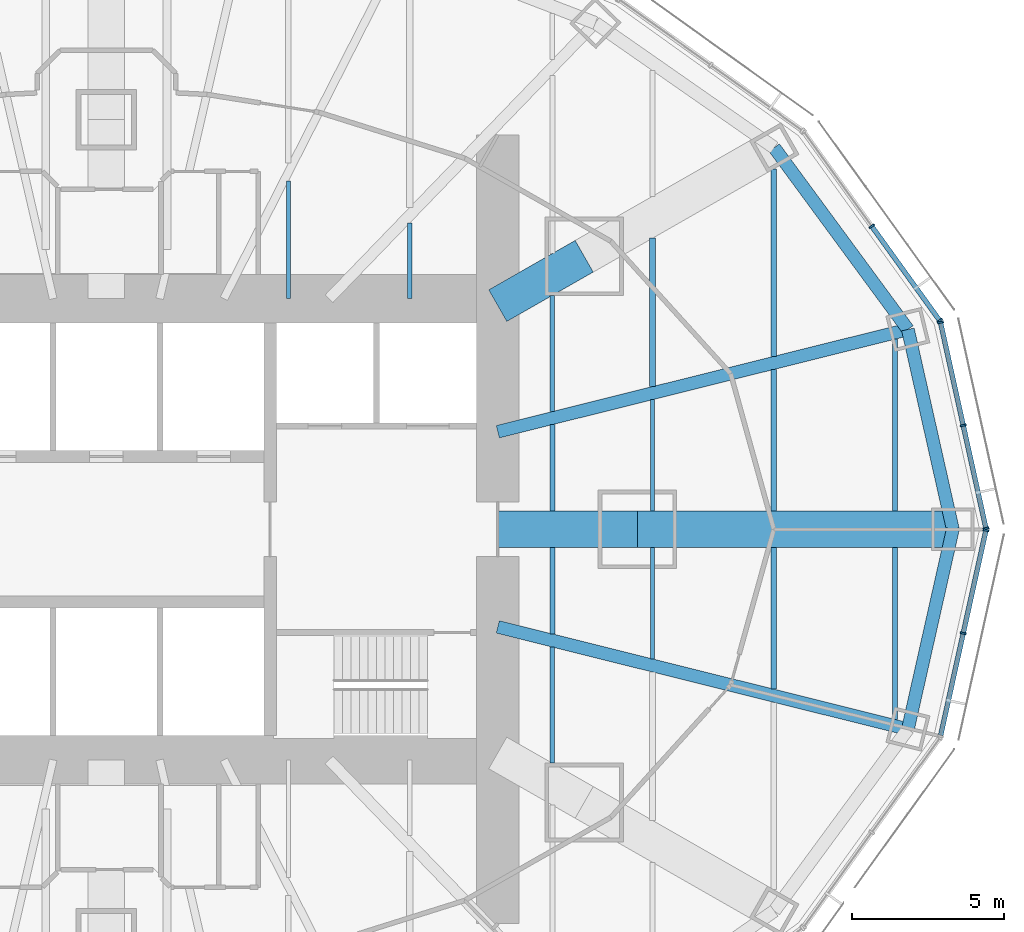
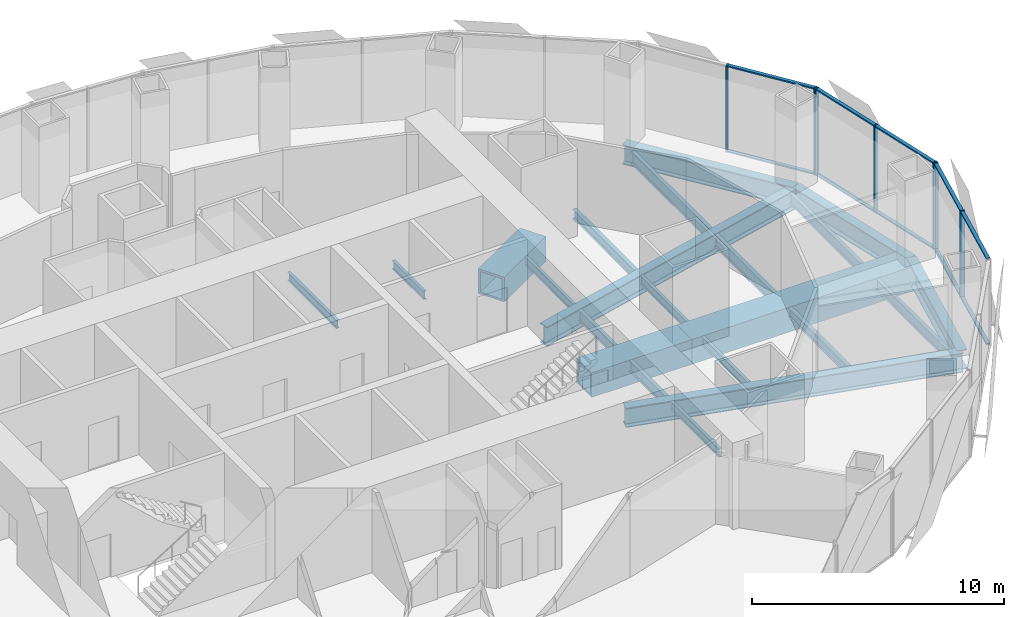
# One storey, part 6 of 17: 22 beams, 17 members, 3 elements without a shape of their own.
"""IFC4 building model written with IfcOpenShell, lengths in metres."""

import ifcopenshell
import ifcopenshell.guid

model = None  # the IFC model being written
_history = None  # IfcOwnerHistory: only IFC2X3 demands one
_inside = {}  # id of a spatial element -> (the spatial element, [elements in it])
_under = {}  # id of a project, library or spatial element -> (it, [spatial elements below it])
_declared = {}  # id of a project -> (the project, [libraries it declares])
_typed = {}  # id of a type object -> (the type object, [elements of that type])
_made_of = {}  # id of a material, layer set ... -> (it, [elements and type objects made of it])


def new_model(schema):
    """Start an empty IFC model of exactly this schema.

    Asked for "IFC4X3", IfcOpenShell would pick the latest addendum, in which some entities
    have other attributes; the version numbers below select the first issue.
    IFC2X3 requires an IfcOwnerHistory on every rooted entity: one is made here for all.
    """
    global model, _history
    if schema == "IFC4X3":
        model = ifcopenshell.file(schema_version=(4, 3, 0, 0))
    else:
        model = ifcopenshell.file(schema=schema)
    _inside.clear()
    _under.clear()
    _declared.clear()
    _typed.clear()
    _made_of.clear()
    _history = None
    if model.schema == "IFC2X3":
        org = make("IfcOrganization", Name="unknown")
        user = make(
            "IfcPersonAndOrganization",
            ThePerson=make("IfcPerson", FamilyName="unknown"),
            TheOrganization=org,
        )
        app = make(
            "IfcApplication",
            ApplicationDeveloper=org,
            Version="unknown",
            ApplicationFullName="unknown",
            ApplicationIdentifier="unknown",
        )
        _history = make(
            "IfcOwnerHistory",
            OwningUser=user,
            OwningApplication=app,
            ChangeAction="ADDED",
            CreationDate=0,
        )
    return model


def make(cls, **values):
    """One entity of the class cls with the attributes given. An attribute that is None is left unset."""
    return model.create_entity(
        cls, **{name: value for name, value in values.items() if value is not None}
    )


def rooted(cls, **values):
    """An entity with a GlobalId (a new one), such as an element, a storey or a relation."""
    return make(cls, GlobalId=ifcopenshell.guid.new(), OwnerHistory=_history, **values)


def si_unit(unit_type, name, prefix=None):
    """IfcSIUnit, for example si_unit("LENGTHUNIT", "METRE", prefix="MILLI")."""
    return make("IfcSIUnit", UnitType=unit_type, Prefix=prefix, Name=name)


def assignment(units):
    """IfcUnitAssignment: the units of a project."""
    return None if units is None else make("IfcUnitAssignment", Units=units)


def point(xyz):
    """IfcCartesianPoint."""
    return None if xyz is None else make("IfcCartesianPoint", Coordinates=xyz)


def direction(xyz):
    """IfcDirection."""
    return None if xyz is None else make("IfcDirection", DirectionRatios=xyz)


def frame(location, z_axis=None, x_axis=None):
    """IfcAxis2Placement3D, a coordinate frame: its origin and axes. An axis left out is left unset."""
    return make(
        "IfcAxis2Placement3D",
        Location=point(location),
        Axis=direction(z_axis),
        RefDirection=direction(x_axis),
    )


def frame_2d(location, x_axis=None):
    """IfcAxis2Placement2D, a coordinate frame in the plane: its origin and x axis."""
    return make(
        "IfcAxis2Placement2D", Location=point(location), RefDirection=direction(x_axis)
    )


def origin():
    """The frame at (0, 0, 0) with its axes left unset."""
    return frame((0.0, 0.0, 0.0))


def origin_2d():
    """The frame at (0, 0) in the plane with its x axis left unset."""
    return frame_2d((0.0, 0.0))


def place(relative_to, where):
    """IfcLocalPlacement: puts the frame where relative to a parent placement (None: the world)."""
    return make(
        "IfcLocalPlacement", PlacementRelTo=relative_to, RelativePlacement=where
    )


def context(
    kind, dimensions, precision=None, world=None, true_north=None, identifier=None
):
    """IfcGeometricRepresentationContext, for example the 3D "Model" context."""
    return make(
        "IfcGeometricRepresentationContext",
        ContextIdentifier=identifier,
        ContextType=kind,
        CoordinateSpaceDimension=dimensions,
        Precision=precision,
        WorldCoordinateSystem=world,
        TrueNorth=true_north,
    )


def subcontext(parent, identifier, kind, view, scale=None):
    """IfcGeometricRepresentationSubContext, for example "Body" below "Model"."""
    return make(
        "IfcGeometricRepresentationSubContext",
        ContextIdentifier=identifier,
        ContextType=kind,
        ParentContext=parent,
        TargetScale=scale,
        TargetView=view,
    )


def project(units=None, contexts=None):
    """IfcProject with its units and contexts."""
    return rooted(
        "IfcProject",
        Name="project",
        RepresentationContexts=contexts,
        UnitsInContext=assignment(units),
    )


def spatial(cls, under=None, at=None, **own):
    """A site, building, storey or space (cls), placed at a placement, below another one or the project."""
    s = rooted(cls, ObjectPlacement=at, **own)
    if under is not None:
        _under.setdefault(under.id(), (under, []))[1].append(s)
    return s


def profile(cls, at=None, kind="AREA", **sizes):
    """A parametric profile (cls). Its sizes go by their IFC names, for example OverallWidth=200.0."""
    return make(cls, ProfileType=kind, Position=at, **sizes)


def rectangle(**sizes):
    """IfcRectangleProfileDef."""
    return profile("IfcRectangleProfileDef", **sizes)


def hollow_rectangle(**sizes):
    """IfcRectangleHollowProfileDef."""
    return profile("IfcRectangleHollowProfileDef", **sizes)


def i_section(**sizes):
    """IfcIShapeProfileDef."""
    return profile("IfcIShapeProfileDef", **sizes)


def extrude(swept, where, along, depth):
    """IfcExtrudedAreaSolid: the profile swept, set in the frame where, extruded along a direction by depth."""
    return make(
        "IfcExtrudedAreaSolid",
        SweptArea=swept,
        Position=where,
        ExtrudedDirection=direction(along),
        Depth=depth,
    )


def shape(context_of_items, identifier, shape_type, items):
    """IfcShapeRepresentation: the items that make up one representation, for example the "Body"."""
    return make(
        "IfcShapeRepresentation",
        ContextOfItems=context_of_items,
        RepresentationIdentifier=identifier,
        RepresentationType=shape_type,
        Items=items,
    )


def material(Name=None, Category=None):
    """IfcMaterial."""
    return make("IfcMaterial", Name=Name, Category=Category)


def material_profile(
    of_material, cross_section, Name=None, Category=None, Priority=None
):
    """IfcMaterialProfile: a cross section and its material."""
    return make(
        "IfcMaterialProfile",
        Name=Name,
        Material=of_material,
        Profile=cross_section,
        Priority=Priority,
        Category=Category,
    )


def profile_set(profiles, Name=None, composite=None):
    """IfcMaterialProfileSet."""
    return make(
        "IfcMaterialProfileSet",
        Name=Name,
        MaterialProfiles=profiles,
        CompositeProfile=composite,
    )


def made_of(thing, what):
    """Note that an element or type object is made of a material, layer set ...; save() writes the relation."""
    if what is not None:
        _made_of.setdefault(what.id(), (what, []))[1].append(thing)
    return thing


def type_object(cls, material=None, **own):
    """A type object (cls), such as IfcWallType, which elements share."""
    return made_of(rooted(cls, **own), material)


def element(
    cls,
    number,
    at=None,
    inside=None,
    cuts=None,
    type_object=None,
    material=None,
    context=None,
    identifier="Body",
    shape_type=None,
    held_by="IfcProductDefinitionShape",
    body=None,
    shapes=None,
    **own,
):
    """One element of the class cls, such as IfcWall. Its Tag is "e" and its number.

    at: its placement. inside: the storey or other place that contains it. cuts: it is an
    opening in that element (IfcRelVoidsElement). A single representation is given by context,
    identifier, shape_type and body (its items); several are given by shapes. held_by: the class
    of the entity that holds the representations. save() writes the other relations.
    """
    e = rooted(cls, Tag="e%d" % number, ObjectPlacement=at, **own)
    if body is not None:
        shapes = [shape(context, identifier, shape_type, body)]
    if shapes is not None:
        e.Representation = make(held_by, Representations=shapes)
    if inside is not None:
        _inside.setdefault(inside.id(), (inside, []))[1].append(e)
    if cuts is not None:
        rooted(
            "IfcRelVoidsElement", RelatingBuildingElement=cuts, RelatedOpeningElement=e
        )
    if type_object is not None:
        _typed.setdefault(type_object.id(), (type_object, []))[1].append(e)
    return made_of(e, material)


def aggregate(whole, parts):
    """IfcRelAggregates: a whole, such as a stair, and the parts it consists of."""
    return rooted("IfcRelAggregates", RelatingObject=whole, RelatedObjects=parts)


def save(model, path):
    """Write the relations noted so far, then the file.

    IfcRelAggregates (storeys below a building ...), IfcRelContainedInSpatialStructure (elements
    in a storey), IfcRelDefinesByType, IfcRelAssociatesMaterial and IfcRelDeclares: one each for
    every whole, place, type object, material and project.
    """
    for whole, parts in _under.values():
        aggregate(whole, parts)
    for where, things in _inside.values():
        rooted(
            "IfcRelContainedInSpatialStructure",
            RelatedElements=things,
            RelatingStructure=where,
        )
    for kind, things in _typed.values():
        rooted("IfcRelDefinesByType", RelatedObjects=things, RelatingType=kind)
    for what, things in _made_of.values():
        rooted("IfcRelAssociatesMaterial", RelatedObjects=things, RelatingMaterial=what)
    for by, libraries in _declared.values():
        rooted("IfcRelDeclares", RelatingContext=by, RelatedDefinitions=libraries)
    model.write(path)


model = new_model("IFC4")

# Units and contexts
model_context = context("Model", 3, precision=1e-05, world=origin(), true_north=direction((0.0, 1.0)))
body_context = subcontext(model_context, "Body", "Model", "MODEL_VIEW")
ifc_project = project(units=[si_unit("LENGTHUNIT", "METRE"), si_unit("AREAUNIT", "SQUARE_METRE"), si_unit("VOLUMEUNIT", "CUBIC_METRE"), si_unit("PLANEANGLEUNIT", "RADIAN"), si_unit("MASSUNIT", "GRAM", prefix="KILO")], contexts=[model_context])

# Site, building, storey
site_placement = place(None, origin())
site = spatial("IfcSite", under=ifc_project, at=site_placement, CompositionType="ELEMENT")
building_placement = place(site_placement, origin())
building = spatial("IfcBuilding", under=site, at=building_placement, Name="Lantaw Convention Tower", CompositionType="ELEMENT")
storey_placement = place(building_placement, frame((0.0, 0.0, 117.39990234375)))
storey = spatial("IfcBuildingStorey", under=building, at=storey_placement, Name="L27", CompositionType="ELEMENT", Elevation=117.39990234375)

# Beams
ifc_material_1 = material(Name="Steel ASTM A992", Category="steel")
ifc_material_profile_1 = material_profile(ifc_material_1, i_section(OverallWidth=0.424072265625, OverallDepth=0.947509765625, WebThickness=0.02392578125, FlangeThickness=0.042724609375, FilletRadius=0.012451171875, at=origin_2d()), Name="W36X302")
ifc_profile_set_1 = profile_set([ifc_material_profile_1], Name="Steel ASTM A992")
beam_type_1 = type_object("IfcBeamType", Name="Beam BC W36X302", PredefinedType="SPANDREL", material=ifc_profile_set_1)
beam_1_placement = place(storey_placement, frame((27.89990234375, 0.0, -0.62353515625), z_axis=(-0.219211877447, 0.975677279015, 0.0), x_axis=(-0.975677279015, -0.219211877447, 0.0)))
element("IfcBeam", 1, at=beam_1_placement, inside=storey, type_object=beam_type_1, Name="Belt truss chord 1", PredefinedType="SPANDREL", context=body_context, shape_type="SweptSolid", body=[
    extrude(i_section(OverallWidth=0.424072265625, OverallDepth=0.947509765625, WebThickness=0.02392578125, FlangeThickness=0.042724609375, FilletRadius=0.012451171875, at=origin_2d()), origin(), (0.0, 0.0, 1.0), 6.75146484375),
])
beam_2_placement = place(storey_placement, frame((26.419921875, 6.587158203125, -0.62353515625), z_axis=(-0.5923891972, 0.805651934176, 0.0), x_axis=(-0.805651934176, -0.5923891972, 0.0)))
element("IfcBeam", 2, at=beam_2_placement, inside=storey, type_object=beam_type_1, Name="Belt truss chord 2", PredefinedType="SPANDREL", context=body_context, shape_type="SweptSolid", body=[
    extrude(i_section(OverallWidth=0.424072265625, OverallDepth=0.947509765625, WebThickness=0.02392578125, FlangeThickness=0.042724609375, FilletRadius=0.012451171875, at=origin_2d()), origin(), (0.0, 0.0, 1.0), 7.437744140625),
])
beam_3_placement = place(storey_placement, frame((26.419921875, -6.587158203125, -0.62353515625), z_axis=(0.219211877447, 0.975677279015, 0.0), x_axis=(-0.975677279015, 0.219211877447, 0.0)))
element("IfcBeam", 3, at=beam_3_placement, inside=storey, type_object=beam_type_1, Name="Belt truss chord 24", PredefinedType="SPANDREL", context=body_context, shape_type="SweptSolid", body=[
    extrude(i_section(OverallWidth=0.424072265625, OverallDepth=0.947509765625, WebThickness=0.02392578125, FlangeThickness=0.042724609375, FilletRadius=0.012451171875, at=origin_2d()), origin(), (0.0, 0.0, 1.0), 6.75146484375),
])
ifc_material_2 = material(Name="Steel EN 10025-3 S460N", Category="steel")
ifc_material_profile_2 = material_profile(ifc_material_2, hollow_rectangle(XDim=1.199951171875, YDim=1.199951171875, WallThickness=0.10009765625, at=origin_2d()), Name="BOX1200X100")
ifc_profile_set_2 = profile_set([ifc_material_profile_2], Name="Steel EN 10025-3 S460N")
beam_type_2 = type_object("IfcBeamType", Name="Beam G BOX1200X100", PredefinedType="BEAM", material=ifc_profile_set_2)
beam_4_placement = place(storey_placement, frame((17.5, 0.0, -0.75), z_axis=(1.0, 0.0, 0.0), x_axis=(0.0, 1.0, 0.0)))
element("IfcBeam", 4, at=beam_4_placement, inside=storey, type_object=beam_type_2, Name="Floor girder on ray 1", PredefinedType="BEAM", context=body_context, shape_type="SweptSolid", body=[
    extrude(hollow_rectangle(XDim=1.199951171875, YDim=1.199951171875, WallThickness=0.10009765625, at=origin_2d()), origin(), (0.0, 0.0, 1.0), 10.39990234375),
])
ifc_material_profile_3 = material_profile(ifc_material_1, i_section(OverallWidth=0.421630859375, OverallDepth=0.937255859375, WebThickness=0.0224609375, FlangeThickness=0.039794921875, FilletRadius=0.02001953125, at=origin_2d()), Name="W36X282")
ifc_profile_set_3 = profile_set([ifc_material_profile_3], Name="Steel ASTM A992")
beam_type_3 = type_object("IfcBeamType", Name="Beam G W36X282", PredefinedType="BEAM", material=ifc_profile_set_3)
for number, where, z_axis, x_axis, name in (
    (5, (12.89990234375, 3.21630859375, -0.61865234375), (0.970296903132, 0.24191717544, 0.0), (-0.24191717544, 0.970296903132, 0.0), "Floor girder on ray 2"),
    (6, (12.89990234375, -3.21630859375, -0.61865234375), (0.970296903132, -0.24191717544, 0.0), (0.24191717544, 0.970296903132, 0.0), "Floor girder on ray 24"),
):
    element("IfcBeam", number, at=place(storey_placement, frame(where, z_axis=z_axis, x_axis=x_axis)), inside=storey, type_object=beam_type_3, Name=name, PredefinedType="BEAM", context=body_context, shape_type="SweptSolid", body=[
        extrude(i_section(OverallWidth=0.421630859375, OverallDepth=0.937255859375, WebThickness=0.0224609375, FlangeThickness=0.039794921875, FilletRadius=0.02001953125, at=origin_2d()), origin(), (0.0, 0.0, 1.0), 13.933837890625),
    ])
ifc_material_profile_4 = material_profile(ifc_material_1, i_section(OverallWidth=0.140380859375, OverallDepth=0.40380859375, WebThickness=0.007080078125, FlangeThickness=0.01123046875, FilletRadius=0.01025390625, at=origin_2d()), Name="W16X31")
ifc_profile_set_4 = profile_set([ifc_material_profile_4], Name="Steel ASTM A992")
beam_type_4 = type_object("IfcBeamType", Name="Beam J W16X31", PredefinedType="JOIST", material=ifc_profile_set_4)
beam_5_placement = place(storey_placement, frame((6.0, 7.60009765625, -0.351806640625), z_axis=(0.0, 1.0, 0.0), x_axis=(-1.0, 0.0, 0.0)))
element("IfcBeam", 7, at=beam_5_placement, inside=storey, type_object=beam_type_4, Name="Floor joist", PredefinedType="JOIST", context=body_context, shape_type="SweptSolid", body=[
    extrude(i_section(OverallWidth=0.140380859375, OverallDepth=0.40380859375, WebThickness=0.007080078125, FlangeThickness=0.01123046875, FilletRadius=0.01025390625, at=origin_2d()), origin(), (0.0, 0.0, 1.0), 3.8818359375),
])
beam_6_placement = place(storey_placement, frame((10.0, 7.60009765625, -0.351806640625), z_axis=(0.0, 1.0, 0.0), x_axis=(-1.0, 0.0, 0.0)))
element("IfcBeam", 8, at=beam_6_placement, inside=storey, type_object=beam_type_4, Name="Floor joist", PredefinedType="JOIST", context=body_context, shape_type="SweptSolid", body=[
    extrude(i_section(OverallWidth=0.140380859375, OverallDepth=0.40380859375, WebThickness=0.007080078125, FlangeThickness=0.01123046875, FilletRadius=0.01025390625, at=origin_2d()), origin(), (0.0, 0.0, 1.0), 2.49560546875),
])
for number, where, z_axis, x_axis, name in (
    (9, (14.699951171875, -7.708984375, -0.351806640625), (0.0, 1.0, 0.0), (-1.0, 0.0, 0.0), "Floor joist"),
    (10, (14.699951171875, 3.88232421875, -0.351806640625), (0.0, 1.0, 0.0), (-1.0, 0.0, 0.0), "Floor joist"),
):
    element("IfcBeam", number, at=place(storey_placement, frame(where, z_axis=z_axis, x_axis=x_axis)), inside=storey, type_object=beam_type_4, Name=name, PredefinedType="JOIST", context=body_context, shape_type="SweptSolid", body=[
        extrude(i_section(OverallWidth=0.140380859375, OverallDepth=0.40380859375, WebThickness=0.007080078125, FlangeThickness=0.01123046875, FilletRadius=0.01025390625, at=origin_2d()), origin(), (0.0, 0.0, 1.0), 3.82666015625),
    ])
for number, where, z_axis, x_axis, name in (
    (11, (18.0, -4.270751953125, -0.351806640625), (0.0, 1.0, 0.0), (-1.0, 0.0, 0.0), "Floor joist"),
    (12, (18.0, 0.60009765625, -0.351806640625), (0.0, 1.0, 0.0), (-1.0, 0.0, 0.0), "Floor joist"),
):
    element("IfcBeam", number, at=place(storey_placement, frame(where, z_axis=z_axis, x_axis=x_axis)), inside=storey, type_object=beam_type_4, Name=name, PredefinedType="JOIST", context=body_context, shape_type="SweptSolid", body=[
        extrude(i_section(OverallWidth=0.140380859375, OverallDepth=0.40380859375, WebThickness=0.007080078125, FlangeThickness=0.01123046875, FilletRadius=0.01025390625, at=origin_2d()), origin(), (0.0, 0.0, 1.0), 3.670654296875),
    ])
ifc_material_profile_5 = material_profile(ifc_material_1, i_section(OverallWidth=0.1904296875, OverallDepth=0.457275390625, WebThickness=0.009033203125, FlangeThickness=0.014404296875, FilletRadius=0.01025390625, at=origin_2d()), Name="W18X50")
ifc_profile_set_5 = profile_set([ifc_material_profile_5], Name="Steel ASTM A992")
beam_type_5 = type_object("IfcBeamType", Name="Beam J W18X50", PredefinedType="JOIST", material=ifc_profile_set_5)
beam_7_placement = place(storey_placement, frame((18.0, 4.705078125, -0.37841796875), z_axis=(0.0, 1.0, 0.0), x_axis=(-1.0, 0.0, 0.0)))
element("IfcBeam", 13, at=beam_7_placement, inside=storey, type_object=beam_type_5, Name="Floor joist", PredefinedType="JOIST", context=body_context, shape_type="SweptSolid", body=[
    extrude(i_section(OverallWidth=0.1904296875, OverallDepth=0.457275390625, WebThickness=0.009033203125, FlangeThickness=0.014404296875, FilletRadius=0.01025390625, at=origin_2d()), origin(), (0.0, 0.0, 1.0), 4.8896484375),
])
beam_8_placement = place(storey_placement, frame((22.0, -5.267822265625, -0.37841796875), z_axis=(0.0, 1.0, 0.0), x_axis=(-1.0, 0.0, 0.0)))
element("IfcBeam", 14, at=beam_8_placement, inside=storey, type_object=beam_type_5, Name="Floor joist", PredefinedType="JOIST", context=body_context, shape_type="SweptSolid", body=[
    extrude(i_section(OverallWidth=0.1904296875, OverallDepth=0.457275390625, WebThickness=0.009033203125, FlangeThickness=0.014404296875, FilletRadius=0.01025390625, at=origin_2d()), origin(), (0.0, 0.0, 1.0), 4.667724609375),
])
ifc_material_profile_6 = material_profile(ifc_material_1, i_section(OverallWidth=0.1650390625, OverallDepth=0.52587890625, WebThickness=0.0087890625, FlangeThickness=0.011474609375, FilletRadius=0.0126953125, at=origin_2d()), Name="W21X44")
ifc_profile_set_6 = profile_set([ifc_material_profile_6], Name="Steel ASTM A992")
beam_type_6 = type_object("IfcBeamType", Name="Beam J W21X44", PredefinedType="JOIST", material=ifc_profile_set_6)
for number, where, z_axis, x_axis, name in (
    (15, (26.0, -6.26513671875, -0.412841796875), (0.0, 1.0, 0.0), (-1.0, 0.0, 0.0), "Floor joist"),
    (16, (26.0, 0.60009765625, -0.412841796875), (0.0, 1.0, 0.0), (-1.0, 0.0, 0.0), "Floor joist"),
):
    element("IfcBeam", number, at=place(storey_placement, frame(where, z_axis=z_axis, x_axis=x_axis)), inside=storey, type_object=beam_type_6, Name=name, PredefinedType="JOIST", context=body_context, shape_type="SweptSolid", body=[
        extrude(i_section(OverallWidth=0.1650390625, OverallDepth=0.52587890625, WebThickness=0.0087890625, FlangeThickness=0.011474609375, FilletRadius=0.0126953125, at=origin_2d()), origin(), (0.0, 0.0, 1.0), 5.6650390625),
    ])
ifc_material_profile_7 = material_profile(ifc_material_1, i_section(OverallWidth=0.165771484375, OverallDepth=0.5283203125, WebThickness=0.009765625, FlangeThickness=0.013671875, FilletRadius=0.012939453125, at=origin_2d()), Name="W21X50")
ifc_profile_set_7 = profile_set([ifc_material_profile_7], Name="Steel ASTM A992")
beam_type_7 = type_object("IfcBeamType", Name="Beam J W21X50", PredefinedType="JOIST", material=ifc_profile_set_7)
for number, where, z_axis, x_axis, name in (
    (17, (14.699951171875, -3.44775390625, -0.4140625), (0.0, 1.0, 0.0), (-1.0, 0.0, 0.0), "Floor joist"),
    (18, (14.699951171875, 0.60009765625, -0.4140625), (0.0, 1.0, 0.0), (-1.0, 0.0, 0.0), "Floor joist"),
):
    element("IfcBeam", number, at=place(storey_placement, frame(where, z_axis=z_axis, x_axis=x_axis)), inside=storey, type_object=beam_type_7, Name=name, PredefinedType="JOIST", context=body_context, shape_type="SweptSolid", body=[
        extrude(i_section(OverallWidth=0.165771484375, OverallDepth=0.5283203125, WebThickness=0.009765625, FlangeThickness=0.013671875, FilletRadius=0.012939453125, at=origin_2d()), origin(), (0.0, 0.0, 1.0), 2.84765625),
    ])
ifc_material_profile_8 = material_profile(ifc_material_1, i_section(OverallWidth=0.177978515625, OverallDepth=0.599365234375, WebThickness=0.010009765625, FlangeThickness=0.012939453125, FilletRadius=0.012939453125, at=origin_2d()), Name="W24X55")
ifc_profile_set_8 = profile_set([ifc_material_profile_8], Name="Steel ASTM A992")
beam_type_8 = type_object("IfcBeamType", Name="Beam J W24X55", PredefinedType="JOIST", material=ifc_profile_set_8)
beam_9_placement = place(storey_placement, frame((22.0, 0.60009765625, -0.44970703125), z_axis=(0.0, 1.0, 0.0), x_axis=(-1.0, 0.0, 0.0)))
element("IfcBeam", 19, at=beam_9_placement, inside=storey, type_object=beam_type_8, Name="Floor joist", PredefinedType="JOIST", context=body_context, shape_type="SweptSolid", body=[
    extrude(i_section(OverallWidth=0.177978515625, OverallDepth=0.599365234375, WebThickness=0.010009765625, FlangeThickness=0.012939453125, FilletRadius=0.012939453125, at=origin_2d()), origin(), (0.0, 0.0, 1.0), 4.667724609375),
])
beam_10_placement = place(storey_placement, frame((22.0, 5.702392578125, -0.44970703125), z_axis=(0.0, 1.0, 0.0), x_axis=(-1.0, 0.0, 0.0)))
element("IfcBeam", 20, at=beam_10_placement, inside=storey, type_object=beam_type_8, Name="Floor joist", PredefinedType="JOIST", context=body_context, shape_type="SweptSolid", body=[
    extrude(i_section(OverallWidth=0.177978515625, OverallDepth=0.599365234375, WebThickness=0.010009765625, FlangeThickness=0.012939453125, FilletRadius=0.012939453125, at=origin_2d()), origin(), (0.0, 0.0, 1.0), 6.177978515625),
])
ifc_material_profile_9 = material_profile(ifc_material_2, hollow_rectangle(XDim=1.199951171875, YDim=1.199951171875, WallThickness=0.10009765625, at=origin_2d()), Name="BOX1200X100")
ifc_profile_set_9 = profile_set([ifc_material_profile_9], Name="Steel EN 10025-3 S460N")
beam_type_9 = type_object("IfcBeamType", Name="Beam OC BOX1200X100", PredefinedType="BEAM", material=ifc_profile_set_9)
beam_11_placement = place(storey_placement, frame((12.89990234375, 0.0, -0.75), z_axis=(1.0, 0.0, 0.0), x_axis=(0.0, 1.0, 0.0)))
element("IfcBeam", 21, at=beam_11_placement, inside=storey, type_object=beam_type_9, Name="Outrigger chord on ray 1", PredefinedType="BEAM", context=body_context, shape_type="SweptSolid", body=[
    extrude(hollow_rectangle(XDim=1.199951171875, YDim=1.199951171875, WallThickness=0.10009765625, at=origin_2d()), origin(), (0.0, 0.0, 1.0), 4.60009765625),
])
beam_12_placement = place(storey_placement, frame((12.89990234375, 7.371337890625, -0.75), z_axis=(0.868238565244, 0.496146947811, 0.0), x_axis=(-0.496146947811, 0.868238565244, 0.0)))
element("IfcBeam", 22, at=beam_12_placement, inside=storey, type_object=beam_type_9, Name="Outrigger chord on ray 3", PredefinedType="BEAM", context=body_context, shape_type="SweptSolid", body=[
    extrude(hollow_rectangle(XDim=1.199951171875, YDim=1.199951171875, WallThickness=0.10009765625, at=origin_2d()), origin(), (0.0, 0.0, 1.0), 3.28271484375),
])

# Curtain wall, members
ifc_material_3 = material(Name="Aluminium framed curtain wall", Category="aluminium")
curtain_wall_type = type_object("IfcCurtainWallType", Name="Office curtain wall low rise, pale aluminium", PredefinedType="USERDEFINED", material=ifc_material_3)
curtain_wall_1_placement = place(storey_placement, origin())
curtain_wall_1 = element("IfcCurtainWall", 23, at=curtain_wall_1_placement, inside=storey, type_object=curtain_wall_type, Name="Office curtain wall low rise, pale aluminium L27", ObjectType="UNITISED CURTAIN WALL", PredefinedType="USERDEFINED")
ifc_material_4 = material(Name="Aluminium 6063-T6", Category="aluminium")
ifc_material_profile_10 = material_profile(ifc_material_4, rectangle(XDim=0.199951171875, YDim=0.06494140625, at=origin_2d()), Name="CW-O1 mullion 65x200")
ifc_profile_set_10 = profile_set([ifc_material_profile_10], Name="Aluminium 6063-T6")
member_type_1 = type_object("IfcMemberType", Name="CW-O1 mullion 65x200", PredefinedType="MULLION", material=ifc_profile_set_10)
member_1_placement = place(storey_placement, frame((28.992919921875, 0.03173828125, -0.14990234375), z_axis=(0.0, 0.0, 1.0), x_axis=(-0.9764936509, -0.215546166174, 0.0)))
member_1 = element("IfcMember", 24, at=member_1_placement, type_object=member_type_1, Name="CW-O1 mullion 1", PredefinedType="MULLION", context=body_context, shape_type="SweptSolid", body=[
    extrude(rectangle(XDim=0.199951171875, YDim=0.06494140625, at=origin_2d()), origin(), (0.0, 0.0, 1.0), 4.199951171875),
])
member_2_placement = place(storey_placement, frame((28.24365234375, 3.4267578125, -0.14990234375), z_axis=(0.0, 0.0, 1.0), x_axis=(-0.9764936509, -0.215546166174, 0.0)))
member_2 = element("IfcMember", 25, at=member_2_placement, type_object=member_type_1, Name="CW-O1 mullion 2", PredefinedType="MULLION", context=body_context, shape_type="SweptSolid", body=[
    extrude(rectangle(XDim=0.199951171875, YDim=0.06494140625, at=origin_2d()), origin(), (0.0, 0.0, 1.0), 4.199951171875),
])
member_3_placement = place(storey_placement, frame((27.494140625, 6.821533203125, -0.14990234375), z_axis=(0.0, 0.0, 1.0), x_axis=(-0.9764936509, -0.215546166174, 0.0)))
member_3 = element("IfcMember", 26, at=member_3_placement, type_object=member_type_1, Name="CW-O1 mullion 3", PredefinedType="MULLION", context=body_context, shape_type="SweptSolid", body=[
    extrude(rectangle(XDim=0.199951171875, YDim=0.06494140625, at=origin_2d()), origin(), (0.0, 0.0, 1.0), 4.199951171875),
])

curtain_wall_2_placement = place(storey_placement, origin())
curtain_wall_2 = element("IfcCurtainWall", 27, at=curtain_wall_2_placement, inside=storey, type_object=curtain_wall_type, Name="Office curtain wall low rise, pale aluminium L27", ObjectType="UNITISED CURTAIN WALL", PredefinedType="USERDEFINED")
member_4_placement = place(storey_placement, frame((27.46826171875, 6.879638671875, -0.14990234375), z_axis=(0.0, 0.0, 1.0), x_axis=(-0.811384633629, -0.584512597221, 0.0)))
member_4 = element("IfcMember", 28, at=member_4_placement, type_object=member_type_1, Name="CW-O1 mullion 1", PredefinedType="MULLION", context=body_context, shape_type="SweptSolid", body=[
    extrude(rectangle(XDim=0.199951171875, YDim=0.06494140625, at=origin_2d()), origin(), (0.0, 0.0, 1.0), 4.199951171875),
])
member_5_placement = place(storey_placement, frame((25.22802734375, 9.9892578125, -0.14990234375), z_axis=(0.0, 0.0, 1.0), x_axis=(-0.811384633629, -0.584512597221, 0.0)))
member_5 = element("IfcMember", 29, at=member_5_placement, type_object=member_type_1, Name="CW-O1 mullion 2", PredefinedType="MULLION", context=body_context, shape_type="SweptSolid", body=[
    extrude(rectangle(XDim=0.199951171875, YDim=0.06494140625, at=origin_2d()), origin(), (0.0, 0.0, 1.0), 4.199951171875),
])

curtain_wall_3_placement = place(storey_placement, origin())
curtain_wall_3 = element("IfcCurtainWall", 30, at=curtain_wall_3_placement, inside=storey, type_object=curtain_wall_type, Name="Office curtain wall low rise, pale aluminium L27", ObjectType="UNITISED CURTAIN WALL", PredefinedType="USERDEFINED")
member_6_placement = place(storey_placement, frame((28.24365234375, -3.4267578125, -0.14990234375), z_axis=(0.0, 0.0, 1.0), x_axis=(-0.9764936509, 0.215546166174, 0.0)))
member_6 = element("IfcMember", 31, at=member_6_placement, type_object=member_type_1, Name="CW-O1 mullion 2", PredefinedType="MULLION", context=body_context, shape_type="SweptSolid", body=[
    extrude(rectangle(XDim=0.199951171875, YDim=0.06494140625, at=origin_2d()), origin(), (0.0, 0.0, 1.0), 4.199951171875),
])
member_7_placement = place(storey_placement, frame((28.992919921875, -0.03173828125, -0.14990234375), z_axis=(0.0, 0.0, 1.0), x_axis=(-0.9764936509, 0.215546166174, 0.0)))
member_7 = element("IfcMember", 32, at=member_7_placement, type_object=member_type_1, Name="CW-O1 mullion 3", PredefinedType="MULLION", context=body_context, shape_type="SweptSolid", body=[
    extrude(rectangle(XDim=0.199951171875, YDim=0.06494140625, at=origin_2d()), origin(), (0.0, 0.0, 1.0), 4.199951171875),
])

# Member
ifc_material_profile_11 = material_profile(ifc_material_4, rectangle(XDim=0.159912109375, YDim=0.06494140625, at=origin_2d()), Name="CW-O1 transom 65x160")
ifc_profile_set_11 = profile_set([ifc_material_profile_11], Name="Aluminium 6063-T6")
member_type_2 = type_object("IfcMemberType", Name="CW-O1 transom 65x160", PredefinedType="USERDEFINED", material=ifc_profile_set_11)
member_8_placement = place(storey_placement, frame((28.986083984375, 0.0634765625, -0.117431640625), z_axis=(-0.215536096386, 0.976495873598, 0.0), x_axis=(-0.976495873598, -0.215536096386, 0.0)))
member_8 = element("IfcMember", 33, at=member_8_placement, type_object=member_type_2, Name="CW-O1 transom 1.1", ObjectType="TRANSOM", PredefinedType="USERDEFINED", context=body_context, shape_type="SweptSolid", body=[
    extrude(rectangle(XDim=0.159912109375, YDim=0.06494140625, at=origin_2d()), origin(), (0.0, 0.0, 1.0), 3.41162109375),
])

member_9_placement = place(storey_placement, frame((28.986083984375, 0.0634765625, 4.017578125), z_axis=(-0.215536096386, 0.976495873598, 0.0), x_axis=(-0.976495873598, -0.215536096386, 0.0)))
member_9 = element("IfcMember", 34, at=member_9_placement, type_object=member_type_2, Name="CW-O1 transom 1.2", ObjectType="TRANSOM", PredefinedType="USERDEFINED", context=body_context, shape_type="SweptSolid", body=[
    extrude(rectangle(XDim=0.159912109375, YDim=0.06494140625, at=origin_2d()), origin(), (0.0, 0.0, 1.0), 3.41162109375),
])

member_10_placement = place(storey_placement, frame((28.236572265625, 3.45849609375, -0.117431640625), z_axis=(-0.21555115847, 0.976492548913, 0.0), x_axis=(-0.976492548913, -0.21555115847, 0.0)))
member_10 = element("IfcMember", 35, at=member_10_placement, type_object=member_type_2, Name="CW-O1 transom 2.1", ObjectType="TRANSOM", PredefinedType="USERDEFINED", context=body_context, shape_type="SweptSolid", body=[
    extrude(rectangle(XDim=0.159912109375, YDim=0.06494140625, at=origin_2d()), origin(), (0.0, 0.0, 1.0), 3.411376953125),
])

member_11_placement = place(storey_placement, frame((28.236572265625, 3.45849609375, 4.017578125), z_axis=(-0.21555115847, 0.976492548913, 0.0), x_axis=(-0.976492548913, -0.21555115847, 0.0)))
member_11 = element("IfcMember", 36, at=member_11_placement, type_object=member_type_2, Name="CW-O1 transom 2.2", ObjectType="TRANSOM", PredefinedType="USERDEFINED", context=body_context, shape_type="SweptSolid", body=[
    extrude(rectangle(XDim=0.159912109375, YDim=0.06494140625, at=origin_2d()), origin(), (0.0, 0.0, 1.0), 3.411376953125),
])

aggregate(curtain_wall_1, [member_1, member_2, member_3, member_8, member_9, member_10, member_11])

member_12_placement = place(storey_placement, frame((27.44921875, 6.906005859375, -0.117431640625), z_axis=(-0.584512973979, 0.811384362217, 0.0), x_axis=(-0.811384362217, -0.584512973979, 0.0)))
member_12 = element("IfcMember", 37, at=member_12_placement, type_object=member_type_2, Name="CW-O1 transom 1.1", ObjectType="TRANSOM", PredefinedType="USERDEFINED", context=body_context, shape_type="SweptSolid", body=[
    extrude(rectangle(XDim=0.159912109375, YDim=0.06494140625, at=origin_2d()), origin(), (0.0, 0.0, 1.0), 3.767578125),
])

member_13_placement = place(storey_placement, frame((27.44921875, 6.906005859375, 4.017578125), z_axis=(-0.584512973979, 0.811384362217, 0.0), x_axis=(-0.811384362217, -0.584512973979, 0.0)))
member_13 = element("IfcMember", 38, at=member_13_placement, type_object=member_type_2, Name="CW-O1 transom 1.2", ObjectType="TRANSOM", PredefinedType="USERDEFINED", context=body_context, shape_type="SweptSolid", body=[
    extrude(rectangle(XDim=0.159912109375, YDim=0.06494140625, at=origin_2d()), origin(), (0.0, 0.0, 1.0), 3.767578125),
])

aggregate(curtain_wall_2, [member_4, member_5, member_12, member_13])

member_14_placement = place(storey_placement, frame((27.501220703125, -6.789794921875, -0.117431640625), z_axis=(0.21555115847, 0.976492548913, 0.0), x_axis=(-0.976492548913, 0.21555115847, 0.0)))
member_14 = element("IfcMember", 39, at=member_14_placement, type_object=member_type_2, Name="CW-O1 transom 1.1", ObjectType="TRANSOM", PredefinedType="USERDEFINED", context=body_context, shape_type="SweptSolid", body=[
    extrude(rectangle(XDim=0.159912109375, YDim=0.06494140625, at=origin_2d()), origin(), (0.0, 0.0, 1.0), 3.411376953125),
])

member_15_placement = place(storey_placement, frame((27.501220703125, -6.789794921875, 4.017578125), z_axis=(0.21555115847, 0.976492548913, 0.0), x_axis=(-0.976492548913, 0.21555115847, 0.0)))
member_15 = element("IfcMember", 40, at=member_15_placement, type_object=member_type_2, Name="CW-O1 transom 1.2", ObjectType="TRANSOM", PredefinedType="USERDEFINED", context=body_context, shape_type="SweptSolid", body=[
    extrude(rectangle(XDim=0.159912109375, YDim=0.06494140625, at=origin_2d()), origin(), (0.0, 0.0, 1.0), 3.411376953125),
])

member_16_placement = place(storey_placement, frame((28.250732421875, -3.39501953125, -0.117431640625), z_axis=(0.215536096386, 0.976495873598, 0.0), x_axis=(-0.976495873598, 0.215536096386, 0.0)))
member_16 = element("IfcMember", 41, at=member_16_placement, type_object=member_type_2, Name="CW-O1 transom 2.1", ObjectType="TRANSOM", PredefinedType="USERDEFINED", context=body_context, shape_type="SweptSolid", body=[
    extrude(rectangle(XDim=0.159912109375, YDim=0.06494140625, at=origin_2d()), origin(), (0.0, 0.0, 1.0), 3.41162109375),
])

member_17_placement = place(storey_placement, frame((28.250732421875, -3.39501953125, 4.017578125), z_axis=(0.215536096386, 0.976495873598, 0.0), x_axis=(-0.976495873598, 0.215536096386, 0.0)))
member_17 = element("IfcMember", 42, at=member_17_placement, type_object=member_type_2, Name="CW-O1 transom 2.2", ObjectType="TRANSOM", PredefinedType="USERDEFINED", context=body_context, shape_type="SweptSolid", body=[
    extrude(rectangle(XDim=0.159912109375, YDim=0.06494140625, at=origin_2d()), origin(), (0.0, 0.0, 1.0), 3.41162109375),
])

aggregate(curtain_wall_3, [member_6, member_7, member_14, member_15, member_16, member_17])

save(model, "model.ifc")
